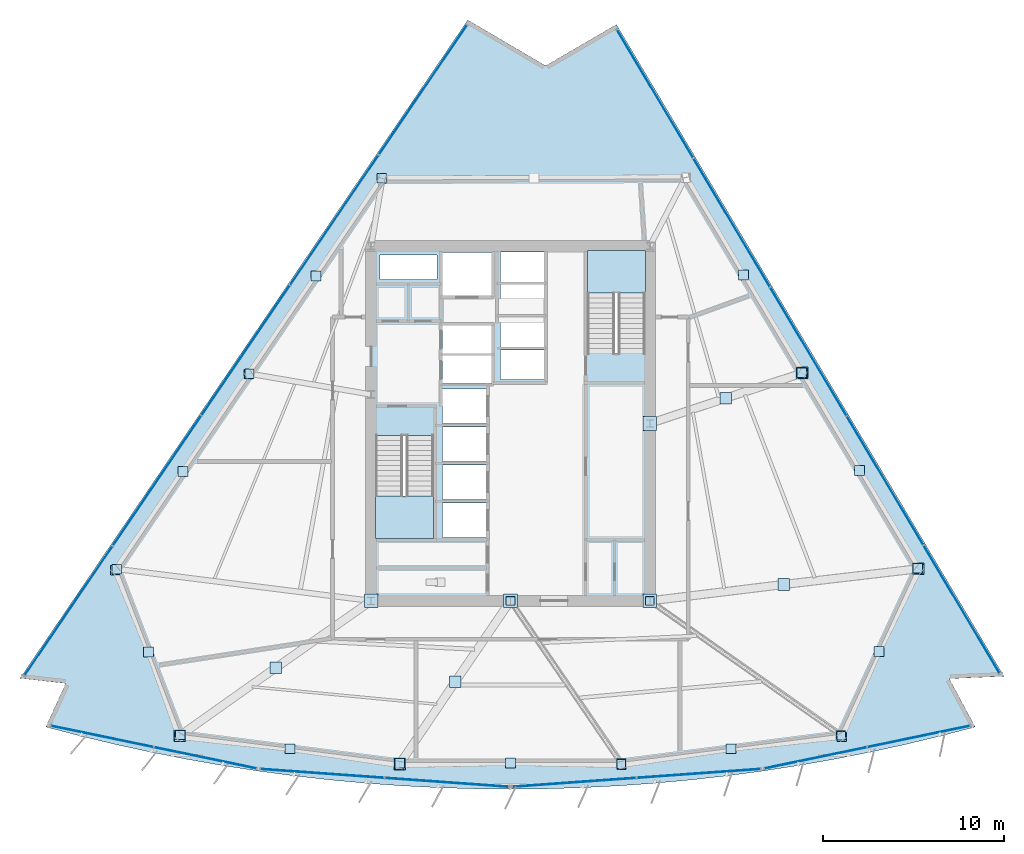
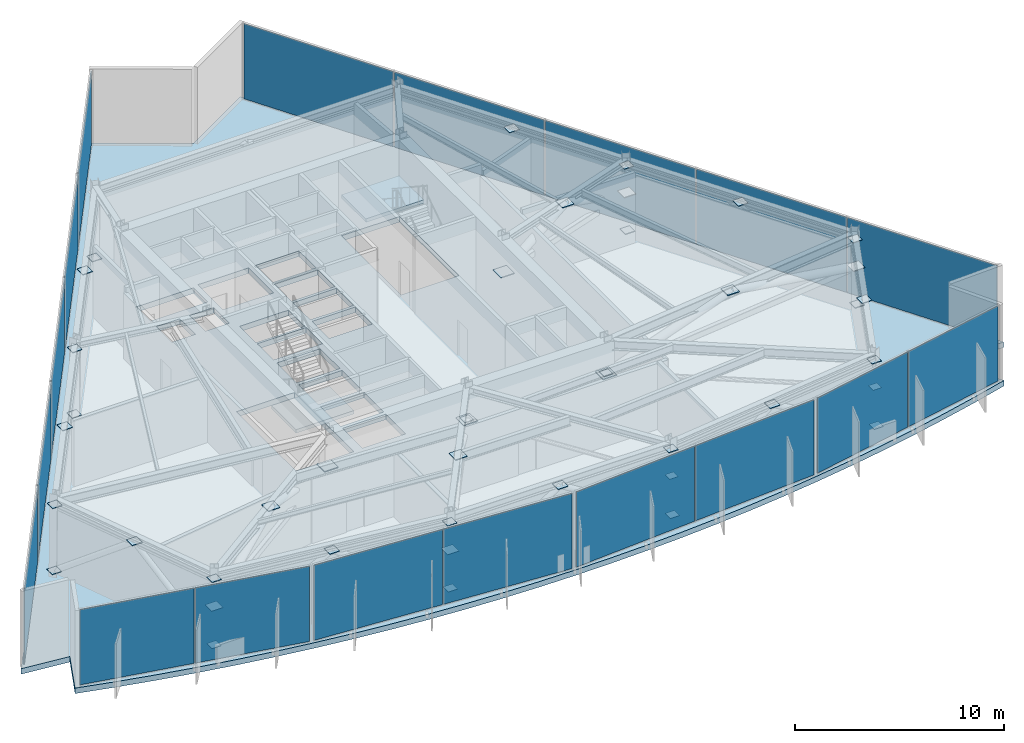
# One storey, part 7 of 14: 60 plates, 3 slabs, 8 elements without a shape of their own.
"""IFC4 building model written with IfcOpenShell, lengths in metres."""

from ifc_helpers import new_model, si_unit, direction, frame, origin, origin_2d, place, context, subcontext, project, spatial, polyline, rectangle, outline, extrude, material, layer, layer_set, type_object, element, aggregate, save


model = new_model("IFC4")

# Units and contexts
model_context = context("Model", 3, precision=1e-05, world=origin(), true_north=direction((0.0, 1.0)))
body_context = subcontext(model_context, "Body", "Model", "MODEL_VIEW")
ifc_project = project(units=[si_unit("LENGTHUNIT", "METRE"), si_unit("AREAUNIT", "SQUARE_METRE"), si_unit("VOLUMEUNIT", "CUBIC_METRE"), si_unit("PLANEANGLEUNIT", "RADIAN"), si_unit("MASSUNIT", "GRAM", prefix="KILO")], contexts=[model_context])

# Site, building, storey
site_placement = place(None, origin())
site = spatial("IfcSite", under=ifc_project, at=site_placement, CompositionType="ELEMENT")
building_placement = place(site_placement, origin())
building = spatial("IfcBuilding", under=site, at=building_placement, Name="Savorim Split Tower", CompositionType="ELEMENT")
storey_placement = place(building_placement, frame((0.0, 0.0, 129.300048828125)))
storey = spatial("IfcBuildingStorey", under=building, at=storey_placement, Name="L34", CompositionType="ELEMENT", Elevation=129.300048828125)

# Curtain wall, plates
ifc_material_1 = material(Name="Dark Ceramic-Fritted Insulated Glass", Category="glass")
curtain_wall_type = type_object("IfcCurtainWallType", Name="CW-REFUGE-LVR", PredefinedType="NOTDEFINED", material=ifc_material_1)
curtain_wall_1_placement = place(storey_placement, origin())
curtain_wall_1 = element("IfcCurtainWall", 1, at=curtain_wall_1_placement, inside=storey, type_object=curtain_wall_type, Name="L34 Curtain Wall CW-L34-SF1", PredefinedType="NOTDEFINED")
ifc_material_2 = material(Name="Charcoal Anodised Aluminium", Category="aluminium")
ifc_layer_1 = layer(ifc_material_2, 0.035888671875)
ifc_layer_set_1 = layer_set([ifc_layer_1], Name="CWP-LVR-36")
plate_type_1 = type_object("IfcPlateType", Name="CWP-LVR-36", PredefinedType="CURTAIN_PANEL", material=ifc_layer_set_1)
plate_1_placement = place(storey_placement, frame((-22.55322265625, -16.891357421875, 0.05517578125), z_axis=(0.0, 0.0, 1.0), x_axis=(0.979135184824, -0.203209964912, 0.0)))
plate_1 = element("IfcPlate", 2, at=plate_1_placement, type_object=plate_type_1, Name="CW-06 panel 1.1", PredefinedType="CURTAIN_PANEL", context=body_context, shape_type="SweptSolid", body=[
    extrude(rectangle(XDim=5.75390625, YDim=0.035888671875, at=origin_2d()), origin(), (0.0, 0.0, 1.0), 4.389892578125),
])
plate_2_placement = place(storey_placement, frame((-16.85595703125, -18.073974609375, 0.05517578125), z_axis=(0.0, 0.0, 1.0), x_axis=(0.979135184824, -0.203209964912, 0.0)))
plate_2 = element("IfcPlate", 3, at=plate_2_placement, type_object=plate_type_1, Name="CW-06 panel 2.1", PredefinedType="CURTAIN_PANEL", context=body_context, shape_type="SweptSolid", body=[
    extrude(rectangle(XDim=5.75390625, YDim=0.035888671875, at=origin_2d()), origin(), (0.0, 0.0, 1.0), 4.389892578125),
])
aggregate(curtain_wall_1, [plate_1, plate_2])

curtain_wall_2_placement = place(storey_placement, origin())
curtain_wall_2 = element("IfcCurtainWall", 4, at=curtain_wall_2_placement, inside=storey, type_object=curtain_wall_type, Name="L34 Curtain Wall CW-L34-SF2", PredefinedType="NOTDEFINED")
plate_3_placement = place(storey_placement, frame((-10.40087890625, -18.93505859375, 0.05517578125), z_axis=(0.0, 0.0, 1.0), x_axis=(0.997436231017, -0.071560918492, 0.0)))
plate_3 = element("IfcPlate", 5, at=plate_3_placement, type_object=plate_type_1, Name="CW-06 panel 1.1", PredefinedType="CURTAIN_PANEL", context=body_context, shape_type="SweptSolid", body=[
    extrude(rectangle(XDim=6.830810546875, YDim=0.035888671875, at=origin_2d()), origin(), (0.0, 0.0, 1.0), 4.389892578125),
])
plate_4_placement = place(storey_placement, frame((-3.522705078125, -19.428466796875, 0.05517578125), z_axis=(0.0, 0.0, 1.0), x_axis=(0.997436231017, -0.071560918492, 0.0)))
plate_4 = element("IfcPlate", 6, at=plate_4_placement, type_object=plate_type_1, Name="CW-06 panel 2.1", PredefinedType="CURTAIN_PANEL", context=body_context, shape_type="SweptSolid", body=[
    extrude(rectangle(XDim=6.830810546875, YDim=0.035888671875, at=origin_2d()), origin(), (0.0, 0.0, 1.0), 4.389892578125),
])
aggregate(curtain_wall_2, [plate_3, plate_4])

curtain_wall_3_placement = place(storey_placement, origin())
curtain_wall_3 = element("IfcCurtainWall", 7, at=curtain_wall_3_placement, inside=storey, type_object=curtain_wall_type, Name="L34 Curtain Wall CW-L34-SF3", PredefinedType="NOTDEFINED")
plate_5_placement = place(storey_placement, frame((3.522705078125, -19.428466796875, 0.05517578125), z_axis=(0.0, 0.0, 1.0), x_axis=(0.997436231017, 0.071560918492, 0.0)))
plate_5 = element("IfcPlate", 8, at=plate_5_placement, type_object=plate_type_1, Name="CW-06 panel 1.1", PredefinedType="CURTAIN_PANEL", context=body_context, shape_type="SweptSolid", body=[
    extrude(rectangle(XDim=6.830810546875, YDim=0.035888671875, at=origin_2d()), origin(), (0.0, 0.0, 1.0), 4.389892578125),
])
plate_6_placement = place(storey_placement, frame((10.40087890625, -18.93505859375, 0.05517578125), z_axis=(0.0, 0.0, 1.0), x_axis=(0.997436231017, 0.071560918492, 0.0)))
plate_6 = element("IfcPlate", 9, at=plate_6_placement, type_object=plate_type_1, Name="CW-06 panel 2.1", PredefinedType="CURTAIN_PANEL", context=body_context, shape_type="SweptSolid", body=[
    extrude(rectangle(XDim=6.830810546875, YDim=0.035888671875, at=origin_2d()), origin(), (0.0, 0.0, 1.0), 4.389892578125),
])
aggregate(curtain_wall_3, [plate_5, plate_6])

curtain_wall_4_placement = place(storey_placement, origin())
curtain_wall_4 = element("IfcCurtainWall", 10, at=curtain_wall_4_placement, inside=storey, type_object=curtain_wall_type, Name="L34 Curtain Wall CW-L34-SF4", PredefinedType="NOTDEFINED")
plate_7_placement = place(storey_placement, frame((16.85595703125, -18.073974609375, 0.05517578125), z_axis=(0.0, 0.0, 1.0), x_axis=(0.979135184824, 0.203209964912, 0.0)))
plate_7 = element("IfcPlate", 11, at=plate_7_placement, type_object=plate_type_1, Name="CW-06 panel 1.1", PredefinedType="CURTAIN_PANEL", context=body_context, shape_type="SweptSolid", body=[
    extrude(rectangle(XDim=5.75390625, YDim=0.035888671875, at=origin_2d()), origin(), (0.0, 0.0, 1.0), 4.389892578125),
])
plate_8_placement = place(storey_placement, frame((22.55322265625, -16.891357421875, 0.05517578125), z_axis=(0.0, 0.0, 1.0), x_axis=(0.979135184824, 0.203209964912, 0.0)))
plate_8 = element("IfcPlate", 12, at=plate_8_placement, type_object=plate_type_1, Name="CW-06 panel 2.1", PredefinedType="CURTAIN_PANEL", context=body_context, shape_type="SweptSolid", body=[
    extrude(rectangle(XDim=5.75390625, YDim=0.035888671875, at=origin_2d()), origin(), (0.0, 0.0, 1.0), 4.389892578125),
])
aggregate(curtain_wall_4, [plate_7, plate_8])

curtain_wall_5_placement = place(storey_placement, origin())
curtain_wall_5 = element("IfcCurtainWall", 13, at=curtain_wall_5_placement, inside=storey, type_object=curtain_wall_type, Name="L34 Curtain Wall CW-L34-EAST", PredefinedType="NOTDEFINED")
plate_9_placement = place(storey_placement, frame((24.922119140625, -9.8642578125, 0.05517578125), z_axis=(0.0, 0.0, 1.0), x_axis=(-0.51109080613, 0.859526723197, 0.0)))
plate_9 = element("IfcPlate", 14, at=plate_9_placement, type_object=plate_type_1, Name="CW-06 panel 1.1", PredefinedType="CURTAIN_PANEL", context=body_context, shape_type="SweptSolid", body=[
    extrude(rectangle(XDim=8.193603515625, YDim=0.035888671875, at=origin_2d()), origin(), (0.0, 0.0, 1.0), 4.389892578125),
])
plate_10_placement = place(storey_placement, frame((20.69287109375, -2.751708984375, 0.05517578125), z_axis=(0.0, 0.0, 1.0), x_axis=(-0.51109080613, 0.859526723197, 0.0)))
plate_10 = element("IfcPlate", 15, at=plate_10_placement, type_object=plate_type_1, Name="CW-06 panel 2.1", PredefinedType="CURTAIN_PANEL", context=body_context, shape_type="SweptSolid", body=[
    extrude(rectangle(XDim=8.22607421875, YDim=0.035888671875, at=origin_2d()), origin(), (0.0, 0.0, 1.0), 4.389892578125),
])
plate_11_placement = place(storey_placement, frame((16.455322265625, 4.37451171875, 0.05517578125), z_axis=(0.0, 0.0, 1.0), x_axis=(-0.51109080613, 0.859526723197, 0.0)))
plate_11 = element("IfcPlate", 16, at=plate_11_placement, type_object=plate_type_1, Name="CW-06 panel 3.1", PredefinedType="CURTAIN_PANEL", context=body_context, shape_type="SweptSolid", body=[
    extrude(rectangle(XDim=8.22607421875, YDim=0.035888671875, at=origin_2d()), origin(), (0.0, 0.0, 1.0), 4.389892578125),
])
plate_12_placement = place(storey_placement, frame((12.218017578125, 11.5009765625, 0.05517578125), z_axis=(0.0, 0.0, 1.0), x_axis=(-0.51109080613, 0.859526723197, 0.0)))
plate_12 = element("IfcPlate", 17, at=plate_12_placement, type_object=plate_type_1, Name="CW-06 panel 4.1", PredefinedType="CURTAIN_PANEL", context=body_context, shape_type="SweptSolid", body=[
    extrude(rectangle(XDim=8.22607421875, YDim=0.035888671875, at=origin_2d()), origin(), (0.0, 0.0, 1.0), 4.389892578125),
])
plate_13_placement = place(storey_placement, frame((7.98876953125, 18.61328125, 0.05517578125), z_axis=(0.0, 0.0, 1.0), x_axis=(-0.51109080613, 0.859526723197, 0.0)))
plate_13 = element("IfcPlate", 18, at=plate_13_placement, type_object=plate_type_1, Name="CW-06 panel 5.1", PredefinedType="CURTAIN_PANEL", context=body_context, shape_type="SweptSolid", body=[
    extrude(rectangle(XDim=8.193603515625, YDim=0.035888671875, at=origin_2d()), origin(), (0.0, 0.0, 1.0), 4.389892578125),
])
aggregate(curtain_wall_5, [plate_9, plate_10, plate_11, plate_12, plate_13])

curtain_wall_6_placement = place(storey_placement, origin())
curtain_wall_6 = element("IfcCurtainWall", 19, at=curtain_wall_6_placement, inside=storey, type_object=curtain_wall_type, Name="L34 Curtain Wall CW-L34-WEST", PredefinedType="NOTDEFINED")
plate_14_placement = place(storey_placement, frame((-4.8408203125, 18.827880859375, 0.05517578125), z_axis=(0.0, 0.0, 1.0), x_axis=(-0.562466987768, -0.826819743155, 0.0)))
plate_14 = element("IfcPlate", 20, at=plate_14_placement, type_object=plate_type_1, Name="CW-06 panel 1.1", PredefinedType="CURTAIN_PANEL", context=body_context, shape_type="SweptSolid", body=[
    extrude(rectangle(XDim=8.611328125, YDim=0.035888671875, at=origin_2d()), origin(), (0.0, 0.0, 1.0), 4.389892578125),
])
plate_15_placement = place(storey_placement, frame((-9.730224609375, 11.640869140625, 0.05517578125), z_axis=(0.0, 0.0, 1.0), x_axis=(-0.562466987768, -0.826819743155, 0.0)))
plate_15 = element("IfcPlate", 21, at=plate_15_placement, type_object=plate_type_1, Name="CW-06 panel 2.1", PredefinedType="CURTAIN_PANEL", context=body_context, shape_type="SweptSolid", body=[
    extrude(rectangle(XDim=8.643798828125, YDim=0.035888671875, at=origin_2d()), origin(), (0.0, 0.0, 1.0), 4.389892578125),
])
plate_16_placement = place(storey_placement, frame((-14.628662109375, 4.440185546875, 0.05517578125), z_axis=(0.0, 0.0, 1.0), x_axis=(-0.562466987768, -0.826819743155, 0.0)))
plate_16 = element("IfcPlate", 22, at=plate_16_placement, type_object=plate_type_1, Name="CW-06 panel 3.1", PredefinedType="CURTAIN_PANEL", context=body_context, shape_type="SweptSolid", body=[
    extrude(rectangle(XDim=8.643798828125, YDim=0.035888671875, at=origin_2d()), origin(), (0.0, 0.0, 1.0), 4.389892578125),
])
plate_17_placement = place(storey_placement, frame((-19.52685546875, -2.76025390625, 0.05517578125), z_axis=(0.0, 0.0, 1.0), x_axis=(-0.562466987768, -0.826819743155, 0.0)))
plate_17 = element("IfcPlate", 23, at=plate_17_placement, type_object=plate_type_1, Name="CW-06 panel 4.1", PredefinedType="CURTAIN_PANEL", context=body_context, shape_type="SweptSolid", body=[
    extrude(rectangle(XDim=8.643798828125, YDim=0.035888671875, at=origin_2d()), origin(), (0.0, 0.0, 1.0), 4.389892578125),
])
plate_18_placement = place(storey_placement, frame((-24.416259765625, -9.947509765625, 0.05517578125), z_axis=(0.0, 0.0, 1.0), x_axis=(-0.562466987768, -0.826819743155, 0.0)))
plate_18 = element("IfcPlate", 24, at=plate_18_placement, type_object=plate_type_1, Name="CW-06 panel 5.1", PredefinedType="CURTAIN_PANEL", context=body_context, shape_type="SweptSolid", body=[
    extrude(rectangle(XDim=8.611328125, YDim=0.035888671875, at=origin_2d()), origin(), (0.0, 0.0, 1.0), 4.389892578125),
])
aggregate(curtain_wall_6, [plate_14, plate_15, plate_16, plate_17, plate_18])

# Plates
ifc_material_3 = material(Name="Steel S460", Category="steel")
ifc_layer_2 = layer(ifc_material_3, 0.028076171875)
ifc_layer_set_2 = layer_set([ifc_layer_2], Name="PLT-NODE-BN1")
plate_type_2 = type_object("IfcPlateType", Name="PLT-NODE-BN1", PredefinedType="SHEET", material=ifc_layer_set_2)
plate_19_placement = place(storey_placement, frame((-12.17041015625, -17.5703125, 4.06591796875), z_axis=(0.0, 0.0, 1.0), x_axis=(1.0, 0.0, 0.0)))
element("IfcPlate", 25, at=plate_19_placement, inside=storey, type_object=plate_type_2, Name="L34 Belt Truss Apex Gusset Plate BN1-01", PredefinedType="SHEET", context=body_context, shape_type="SweptSolid", body=[
    extrude(rectangle(XDim=0.550048828125, YDim=0.550048828125, at=origin_2d()), origin(), (0.0, 0.0, 1.0), 0.028076171875),
])
for number, where, z_axis, x_axis, name in (
    (26, (-18.300537109375, -16.905517578125, 0.26611328125), (0.0, 0.0, 1.0), (1.0, 0.0, 0.0), "L34 Belt Truss Base Gusset Plate BNB-01"),
    (27, (-18.241943359375, -16.810302734375, 4.06591796875), (0.0, 0.0, 1.0), (1.0, 0.0, 0.0), "L34 Belt Truss Chord Gusset Plate BCH-01"),
):
    element("IfcPlate", number, at=place(storey_placement, frame(where, z_axis=z_axis, x_axis=x_axis)), inside=storey, type_object=plate_type_2, Name=name, PredefinedType="SHEET", context=body_context, shape_type="SweptSolid", body=[
        extrude(rectangle(XDim=0.52001953125, YDim=0.52001953125, at=origin_2d()), origin(), (0.0, 0.0, 1.0), 0.028076171875),
    ])
plate_20_placement = place(storey_placement, frame((0.0, -18.348388671875, 4.06591796875), z_axis=(0.0, 0.0, 1.0), x_axis=(1.0, 0.0, 0.0)))
element("IfcPlate", 28, at=plate_20_placement, inside=storey, type_object=plate_type_2, Name="L34 Belt Truss Apex Gusset Plate BN1-02", PredefinedType="SHEET", context=body_context, shape_type="SweptSolid", body=[
    extrude(rectangle(XDim=0.550048828125, YDim=0.550048828125, at=origin_2d()), origin(), (0.0, 0.0, 1.0), 0.028076171875),
])
for number, where, z_axis, x_axis, name in (
    (29, (-6.133544921875, -18.4677734375, 0.26611328125), (0.0, 0.0, 1.0), (1.0, 0.0, 0.0), "L34 Belt Truss Base Gusset Plate BNB-02"),
    (30, (-6.11376953125, -18.367431640625, 4.06591796875), (0.0, 0.0, 1.0), (1.0, 0.0, 0.0), "L34 Belt Truss Chord Gusset Plate BCH-02"),
):
    element("IfcPlate", number, at=place(storey_placement, frame(where, z_axis=z_axis, x_axis=x_axis)), inside=storey, type_object=plate_type_2, Name=name, PredefinedType="SHEET", context=body_context, shape_type="SweptSolid", body=[
        extrude(rectangle(XDim=0.52001953125, YDim=0.52001953125, at=origin_2d()), origin(), (0.0, 0.0, 1.0), 0.028076171875),
    ])
plate_21_placement = place(storey_placement, frame((12.17041015625, -17.5703125, 4.06591796875), z_axis=(0.0, 0.0, 1.0), x_axis=(1.0, 0.0, 0.0)))
element("IfcPlate", 31, at=plate_21_placement, inside=storey, type_object=plate_type_2, Name="L34 Belt Truss Apex Gusset Plate BN1-03", PredefinedType="SHEET", context=body_context, shape_type="SweptSolid", body=[
    extrude(rectangle(XDim=0.550048828125, YDim=0.550048828125, at=origin_2d()), origin(), (0.0, 0.0, 1.0), 0.028076171875),
])
for number, where, z_axis, x_axis, name in (
    (32, (6.133544921875, -18.4677734375, 0.26611328125), (0.0, 0.0, 1.0), (1.0, 0.0, 0.0), "L34 Belt Truss Base Gusset Plate BNB-03"),
    (33, (6.11376953125, -18.367431640625, 4.06591796875), (0.0, 0.0, 1.0), (1.0, 0.0, 0.0), "L34 Belt Truss Chord Gusset Plate BCH-03"),
):
    element("IfcPlate", number, at=place(storey_placement, frame(where, z_axis=z_axis, x_axis=x_axis)), inside=storey, type_object=plate_type_2, Name=name, PredefinedType="SHEET", context=body_context, shape_type="SweptSolid", body=[
        extrude(rectangle(XDim=0.52001953125, YDim=0.52001953125, at=origin_2d()), origin(), (0.0, 0.0, 1.0), 0.028076171875),
    ])
plate_22_placement = place(storey_placement, frame((20.359619140625, -12.190185546875, 4.06591796875), z_axis=(0.0, 0.0, 1.0), x_axis=(1.0, 0.0, 0.0)))
element("IfcPlate", 34, at=plate_22_placement, inside=storey, type_object=plate_type_2, Name="L34 Belt Truss Apex Gusset Plate BN1-04", PredefinedType="SHEET", context=body_context, shape_type="SweptSolid", body=[
    extrude(rectangle(XDim=0.550048828125, YDim=0.550048828125, at=origin_2d()), origin(), (0.0, 0.0, 1.0), 0.028076171875),
])
for number, where, z_axis, x_axis, name in (
    (35, (18.300537109375, -16.905517578125, 0.26611328125), (0.0, 0.0, 1.0), (1.0, 0.0, 0.0), "L34 Belt Truss Base Gusset Plate BNB-04"),
    (36, (18.241943359375, -16.810302734375, 4.06591796875), (0.0, 0.0, 1.0), (1.0, 0.0, 0.0), "L34 Belt Truss Chord Gusset Plate BCH-04"),
):
    element("IfcPlate", number, at=place(storey_placement, frame(where, z_axis=z_axis, x_axis=x_axis)), inside=storey, type_object=plate_type_2, Name=name, PredefinedType="SHEET", context=body_context, shape_type="SweptSolid", body=[
        extrude(rectangle(XDim=0.52001953125, YDim=0.52001953125, at=origin_2d()), origin(), (0.0, 0.0, 1.0), 0.028076171875),
    ])
plate_23_placement = place(storey_placement, frame((19.28125, -2.19482421875, 4.06591796875), z_axis=(0.0, 0.0, 1.0), x_axis=(1.0, 0.0, 0.0)))
element("IfcPlate", 37, at=plate_23_placement, inside=storey, type_object=plate_type_2, Name="L34 Belt Truss Apex Gusset Plate BN1-05", PredefinedType="SHEET", context=body_context, shape_type="SweptSolid", body=[
    extrude(rectangle(XDim=0.550048828125, YDim=0.550048828125, at=origin_2d()), origin(), (0.0, 0.0, 1.0), 0.028076171875),
])
for number, where, z_axis, x_axis, name in (
    (38, (22.576416015625, -7.661376953125, 0.26611328125), (0.0, 0.0, 1.0), (1.0, 0.0, 0.0), "L34 Belt Truss Base Gusset Plate BNB-05"),
    (39, (22.502197265625, -7.599853515625, 4.06591796875), (0.0, 0.0, 1.0), (1.0, 0.0, 0.0), "L34 Belt Truss Chord Gusset Plate BCH-05"),
):
    element("IfcPlate", number, at=place(storey_placement, frame(where, z_axis=z_axis, x_axis=x_axis)), inside=storey, type_object=plate_type_2, Name=name, PredefinedType="SHEET", context=body_context, shape_type="SweptSolid", body=[
        extrude(rectangle(XDim=0.52001953125, YDim=0.52001953125, at=origin_2d()), origin(), (0.0, 0.0, 1.0), 0.028076171875),
    ])
plate_24_placement = place(storey_placement, frame((12.8671875, 8.591552734375, 4.06591796875), z_axis=(0.0, 0.0, 1.0), x_axis=(1.0, 0.0, 0.0)))
element("IfcPlate", 40, at=plate_24_placement, inside=storey, type_object=plate_type_2, Name="L34 Belt Truss Apex Gusset Plate BN1-06", PredefinedType="SHEET", context=body_context, shape_type="SweptSolid", body=[
    extrude(rectangle(XDim=0.550048828125, YDim=0.550048828125, at=origin_2d()), origin(), (0.0, 0.0, 1.0), 0.028076171875),
])
for number, where, z_axis, x_axis, name in (
    (41, (16.13818359375, 3.166015625, 0.26611328125), (0.0, 0.0, 1.0), (1.0, 0.0, 0.0), "L34 Belt Truss Base Gusset Plate BNB-06"),
    (42, (16.08447265625, 3.193359375, 4.06591796875), (0.0, 0.0, 1.0), (1.0, 0.0, 0.0), "L34 Belt Truss Chord Gusset Plate BCH-06"),
):
    element("IfcPlate", number, at=place(storey_placement, frame(where, z_axis=z_axis, x_axis=x_axis)), inside=storey, type_object=plate_type_2, Name=name, PredefinedType="SHEET", context=body_context, shape_type="SweptSolid", body=[
        extrude(rectangle(XDim=0.52001953125, YDim=0.52001953125, at=origin_2d()), origin(), (0.0, 0.0, 1.0), 0.028076171875),
    ])
plate_25_placement = place(storey_placement, frame((-10.742431640625, 8.542724609375, 4.06591796875), z_axis=(0.0, 0.0, 1.0), x_axis=(1.0, 0.0, 0.0)))
element("IfcPlate", 43, at=plate_25_placement, inside=storey, type_object=plate_type_2, Name="L34 Belt Truss Apex Gusset Plate BN1-08", PredefinedType="SHEET", context=body_context, shape_type="SweptSolid", body=[
    extrude(rectangle(XDim=0.550048828125, YDim=0.550048828125, at=origin_2d()), origin(), (0.0, 0.0, 1.0), 0.028076171875),
])
plate_26_placement = place(storey_placement, frame((-7.103271484375, 13.94482421875, 0.26611328125), z_axis=(0.0, 0.0, 1.0), x_axis=(1.0, 0.0, 0.0)))
element("IfcPlate", 44, at=plate_26_placement, inside=storey, type_object=plate_type_2, Name="L34 Belt Truss Base Gusset Plate BNB-08", PredefinedType="SHEET", context=body_context, shape_type="SweptSolid", body=[
    extrude(rectangle(XDim=0.52001953125, YDim=0.52001953125, at=origin_2d()), origin(), (0.0, 0.0, 1.0), 0.028076171875),
])
plate_27_placement = place(storey_placement, frame((-18.080078125, -2.24365234375, 4.06591796875), z_axis=(0.0, 0.0, 1.0), x_axis=(1.0, 0.0, 0.0)))
element("IfcPlate", 45, at=plate_27_placement, inside=storey, type_object=plate_type_2, Name="L34 Belt Truss Apex Gusset Plate BN1-09", PredefinedType="SHEET", context=body_context, shape_type="SweptSolid", body=[
    extrude(rectangle(XDim=0.550048828125, YDim=0.550048828125, at=origin_2d()), origin(), (0.0, 0.0, 1.0), 0.028076171875),
])
for number, where, z_axis, x_axis, name in (
    (46, (-14.468994140625, 3.1171875, 0.26611328125), (0.0, 0.0, 1.0), (1.0, 0.0, 0.0), "L34 Belt Truss Base Gusset Plate BNB-09"),
    (47, (-14.42041015625, 3.14453125, 4.06591796875), (0.0, 0.0, 1.0), (1.0, 0.0, 0.0), "L34 Belt Truss Chord Gusset Plate BCH-09"),
):
    element("IfcPlate", number, at=place(storey_placement, frame(where, z_axis=z_axis, x_axis=x_axis)), inside=storey, type_object=plate_type_2, Name=name, PredefinedType="SHEET", context=body_context, shape_type="SweptSolid", body=[
        extrude(rectangle(XDim=0.52001953125, YDim=0.52001953125, at=origin_2d()), origin(), (0.0, 0.0, 1.0), 0.028076171875),
    ])
plate_28_placement = place(storey_placement, frame((-19.989990234375, -12.214599609375, 4.06591796875), z_axis=(0.0, 0.0, 1.0), x_axis=(1.0, 0.0, 0.0)))
element("IfcPlate", 48, at=plate_28_placement, inside=storey, type_object=plate_type_2, Name="L34 Belt Truss Apex Gusset Plate BN1-10", PredefinedType="SHEET", context=body_context, shape_type="SweptSolid", body=[
    extrude(rectangle(XDim=0.550048828125, YDim=0.550048828125, at=origin_2d()), origin(), (0.0, 0.0, 1.0), 0.028076171875),
])
for number, where, z_axis, x_axis, name in (
    (49, (-21.83447265625, -7.710205078125, 0.26611328125), (0.0, 0.0, 1.0), (1.0, 0.0, 0.0), "L34 Belt Truss Base Gusset Plate BNB-10"),
    (50, (-21.7626953125, -7.648681640625, 4.06591796875), (0.0, 0.0, 1.0), (1.0, 0.0, 0.0), "L34 Belt Truss Chord Gusset Plate BCH-10"),
):
    element("IfcPlate", number, at=place(storey_placement, frame(where, z_axis=z_axis, x_axis=x_axis)), inside=storey, type_object=plate_type_2, Name=name, PredefinedType="SHEET", context=body_context, shape_type="SweptSolid", body=[
        extrude(rectangle(XDim=0.52001953125, YDim=0.52001953125, at=origin_2d()), origin(), (0.0, 0.0, 1.0), 0.028076171875),
    ])
ifc_layer_3 = layer(ifc_material_3, 0.02490234375)
ifc_layer_set_3 = layer_set([ifc_layer_3], Name="PLT-NODE-CN1")
plate_type_3 = type_object("IfcPlateType", Name="PLT-NODE-CN1", PredefinedType="SHEET", material=ifc_layer_set_3)
for number, where, z_axis, x_axis, name in (
    (51, (0.0, -9.39990234375, 2.507568359375), (0.0, 0.0, 1.0), (1.0, 0.0, 0.0), "L34 Tie Strut Core Gusset Plate 1"),
    (52, (6.121826171875, -18.40869140625, 2.507568359375), (0.0, 0.0, 1.0), (1.0, 0.0, 0.0), "L34 Tie Strut Column Gusset Plate 1"),
    (53, (7.699951171875, -9.39990234375, 2.507568359375), (0.0, 0.0, 1.0), (1.0, 0.0, 0.0), "L34 Tie Strut Core Gusset Plate 2"),
    (54, (18.26611328125, -16.849365234375, 2.507568359375), (0.0, 0.0, 1.0), (1.0, 0.0, 0.0), "L34 Tie Strut Column Gusset Plate 2"),
):
    element("IfcPlate", number, at=place(storey_placement, frame(where, z_axis=z_axis, x_axis=x_axis)), inside=storey, type_object=plate_type_3, Name=name, PredefinedType="SHEET", context=body_context, shape_type="SweptSolid", body=[
        extrude(rectangle(XDim=0.47998046875, YDim=0.47998046875, at=origin_2d()), origin(), (0.0, 0.0, 1.0), 0.02490234375),
    ])
ifc_layer_4 = layer(ifc_material_3, 0.035888671875)
ifc_layer_set_4 = layer_set([ifc_layer_4], Name="PLT-NODE-ON1")
plate_type_4 = type_object("IfcPlateType", Name="PLT-NODE-ON1", PredefinedType="SHEET", material=ifc_layer_set_4)
plate_29_placement = place(storey_placement, frame((-7.699951171875, -9.39990234375, 2.4619140625), z_axis=(0.0, 0.0, 1.0), x_axis=(1.0, 0.0, 0.0)))
element("IfcPlate", 55, at=plate_29_placement, inside=storey, type_object=plate_type_4, Name="L34 Outrigger Core Embedment Plate ON1-1", PredefinedType="SHEET", context=body_context, shape_type="SweptSolid", body=[
    extrude(rectangle(XDim=0.75, YDim=0.75, at=origin_2d()), origin(), (0.0, 0.0, 1.0), 0.035888671875),
])
plate_30_placement = place(storey_placement, frame((-12.96533203125, -13.09619140625, 4.18408203125), z_axis=(0.0, 0.0, 1.0), x_axis=(1.0, 0.0, 0.0)))
element("IfcPlate", 56, at=plate_30_placement, inside=storey, type_object=plate_type_4, Name="L34 Outrigger Apex Gusset Plate ONT-1", PredefinedType="SHEET", context=body_context, shape_type="SweptSolid", body=[
    extrude(rectangle(XDim=0.64990234375, YDim=0.64990234375, at=origin_2d()), origin(), (0.0, 0.0, 1.0), 0.031982421875),
])
plate_31_placement = place(storey_placement, frame((0.0, -9.39990234375, 2.4619140625), z_axis=(0.0, 0.0, 1.0), x_axis=(1.0, 0.0, 0.0)))
element("IfcPlate", 57, at=plate_31_placement, inside=storey, type_object=plate_type_4, Name="L34 Outrigger Core Embedment Plate ON1-2", PredefinedType="SHEET", context=body_context, shape_type="SweptSolid", body=[
    extrude(rectangle(XDim=0.75, YDim=0.75, at=origin_2d()), origin(), (0.0, 0.0, 1.0), 0.035888671875),
])
plate_32_placement = place(storey_placement, frame((-3.05517578125, -13.874267578125, 4.18408203125), z_axis=(0.0, 0.0, 1.0), x_axis=(1.0, 0.0, 0.0)))
element("IfcPlate", 58, at=plate_32_placement, inside=storey, type_object=plate_type_4, Name="L34 Outrigger Apex Gusset Plate ONT-2", PredefinedType="SHEET", context=body_context, shape_type="SweptSolid", body=[
    extrude(rectangle(XDim=0.64990234375, YDim=0.64990234375, at=origin_2d()), origin(), (0.0, 0.0, 1.0), 0.031982421875),
])
plate_33_placement = place(storey_placement, frame((7.699951171875, -9.39990234375, 2.4619140625), z_axis=(0.0, 0.0, 1.0), x_axis=(1.0, 0.0, 0.0)))
element("IfcPlate", 59, at=plate_33_placement, inside=storey, type_object=plate_type_4, Name="L34 Outrigger Core Embedment Plate ON1-3", PredefinedType="SHEET", context=body_context, shape_type="SweptSolid", body=[
    extrude(rectangle(XDim=0.75, YDim=0.75, at=origin_2d()), origin(), (0.0, 0.0, 1.0), 0.035888671875),
])
plate_34_placement = place(storey_placement, frame((15.093994140625, -8.494140625, 4.18408203125), z_axis=(0.0, 0.0, 1.0), x_axis=(1.0, 0.0, 0.0)))
element("IfcPlate", 60, at=plate_34_placement, inside=storey, type_object=plate_type_4, Name="L34 Outrigger Apex Gusset Plate ONT-3", PredefinedType="SHEET", context=body_context, shape_type="SweptSolid", body=[
    extrude(rectangle(XDim=0.64990234375, YDim=0.64990234375, at=origin_2d()), origin(), (0.0, 0.0, 1.0), 0.031982421875),
])
plate_35_placement = place(storey_placement, frame((7.699951171875, 0.39990234375, 2.4619140625), z_axis=(0.0, 0.0, 1.0), x_axis=(1.0, 0.0, 0.0)))
element("IfcPlate", 61, at=plate_35_placement, inside=storey, type_object=plate_type_4, Name="L34 Outrigger Core Embedment Plate ON1-4", PredefinedType="SHEET", context=body_context, shape_type="SweptSolid", body=[
    extrude(rectangle(XDim=0.75, YDim=0.75, at=origin_2d()), origin(), (0.0, 0.0, 1.0), 0.035888671875),
])
plate_36_placement = place(storey_placement, frame((11.88720703125, 1.79931640625, 4.18408203125), z_axis=(0.0, 0.0, 1.0), x_axis=(1.0, 0.0, 0.0)))
element("IfcPlate", 62, at=plate_36_placement, inside=storey, type_object=plate_type_4, Name="L34 Outrigger Apex Gusset Plate ONT-4", PredefinedType="SHEET", context=body_context, shape_type="SweptSolid", body=[
    extrude(rectangle(XDim=0.64990234375, YDim=0.64990234375, at=origin_2d()), origin(), (0.0, 0.0, 1.0), 0.031982421875),
])
ifc_layer_5 = layer(ifc_material_3, 0.031982421875)
ifc_layer_set_5 = layer_set([ifc_layer_5], Name="PLT-NODE-ON2")
plate_type_5 = type_object("IfcPlateType", Name="PLT-NODE-ON2", PredefinedType="SHEET", material=ifc_layer_set_5)
for number, where, z_axis, x_axis, name in (
    (63, (-18.2666015625, -16.850341796875, 2.4638671875), (0.0, 0.0, 1.0), (1.0, 0.0, 0.0), "L34 Outrigger Column Gusset Plate ON2-1"),
    (64, (-6.1220703125, -18.40966796875, 2.4638671875), (0.0, 0.0, 1.0), (1.0, 0.0, 0.0), "L34 Outrigger Column Gusset Plate ON2-2"),
    (65, (22.533447265625, -7.625732421875, 2.4638671875), (0.0, 0.0, 1.0), (1.0, 0.0, 0.0), "L34 Outrigger Column Gusset Plate ON2-3"),
    (66, (16.10693359375, 3.181884765625, 2.4638671875), (0.0, 0.0, 1.0), (1.0, 0.0, 0.0), "L34 Outrigger Column Gusset Plate ON2-4"),
):
    element("IfcPlate", number, at=place(storey_placement, frame(where, z_axis=z_axis, x_axis=x_axis)), inside=storey, type_object=plate_type_5, Name=name, PredefinedType="SHEET", context=body_context, shape_type="SweptSolid", body=[
        extrude(rectangle(XDim=0.64990234375, YDim=0.64990234375, at=origin_2d()), origin(), (0.0, 0.0, 1.0), 0.031982421875),
    ])

# Stair, slab
ifc_material_4 = material(Name="Concrete C50/60", Category="concrete")
stair_type = type_object("IfcStairType", Name="STR-DOG-4800", PredefinedType="HALF_TURN_STAIR", material=ifc_material_4)
stair_1_placement = place(storey_placement, origin())
stair_1 = element("IfcStair", 67, at=stair_1_placement, inside=storey, type_object=stair_type, Name="L34 Core Protected Exit Stair ST-1", PredefinedType="HALF_TURN_STAIR")
ifc_layer_6 = layer(ifc_material_4, 0.199951171875)
ifc_layer_set_6 = layer_set([ifc_layer_6], Name="SLB-LND-200")
slab_type_1 = type_object("IfcSlabType", Name="SLB-LND-200", PredefinedType="LANDING", material=ifc_layer_set_6)
slab_1_placement = place(storey_placement, frame((0.0, 0.0, 2.199951171875)))
slab_1 = element("IfcSlab", 68, at=slab_1_placement, type_object=slab_type_1, Name="ST-1 landing 1", PredefinedType="LANDING", context=body_context, shape_type="SweptSolid", body=[
    extrude(outline(polyline([(-7.449951171875, -3.610107421875), (-7.449951171875, -5.949951171875), (-4.25, -5.949951171875), (-4.25, -3.610107421875), (-7.449951171875, -3.610107421875)])), origin(), (0.0, 0.0, 1.0), 0.199951171875),
])
aggregate(stair_1, [slab_1])

stair_2_placement = place(storey_placement, origin())
stair_2 = element("IfcStair", 69, at=stair_2_placement, inside=storey, type_object=stair_type, Name="L34 Core Protected Exit Stair ST-2", PredefinedType="HALF_TURN_STAIR")
slab_2_placement = place(storey_placement, frame((0.0, 0.0, 2.199951171875)))
slab_2 = element("IfcSlab", 70, at=slab_2_placement, type_object=slab_type_1, Name="ST-2 landing 1", PredefinedType="LANDING", context=body_context, shape_type="SweptSolid", body=[
    extrude(outline(polyline([(7.449951171875, 7.610107421875), (7.449951171875, 9.949951171875), (4.25, 9.949951171875), (4.25, 7.610107421875), (7.449951171875, 7.610107421875)])), origin(), (0.0, 0.0, 1.0), 0.199951171875),
])
aggregate(stair_2, [slab_2])

# Slab
ifc_layer_7 = layer(ifc_material_4, 0.320068359375)
ifc_layer_set_7 = layer_set([ifc_layer_7], Name="SLB-POD-320")
slab_type_2 = type_object("IfcSlabType", Name="SLB-POD-320", PredefinedType="FLOOR", material=ifc_layer_set_7)
slab_3_placement = place(storey_placement, frame((0.0, 0.0, -0.320068359375)))
element("IfcSlab", 71, at=slab_3_placement, inside=storey, type_object=slab_type_2, Name="L34 Structural Floor Slab", PredefinedType="FLOOR", context=body_context, shape_type="SweptSolid", body=[
    extrude(outline(polyline([(-25.673583984375, -16.366455078125), (-23.740234375, -16.8720703125), (-21.797119140625, -17.337890625), (-19.844482421875, -17.763916015625), (-17.8837890625, -18.150146484375), (-15.915771484375, -18.495849609375), (-13.94091796875, -18.801513671875), (-11.960205078125, -19.06640625), (-9.974609375, -19.291015625), (-7.984619140625, -19.474609375), (-5.991455078125, -19.61767578125), (-3.99560546875, -19.7197265625), (-1.998291015625, -19.78125), (0.0, -19.801513671875), (1.998291015625, -19.78125), (3.99560546875, -19.7197265625), (5.991455078125, -19.61767578125), (7.984619140625, -19.474609375), (9.974609375, -19.291015625), (11.960205078125, -19.06640625), (13.94091796875, -18.801513671875), (15.915771484375, -18.495849609375), (17.8837890625, -18.150146484375), (19.844482421875, -17.763916015625), (21.797119140625, -17.337890625), (23.740234375, -16.8720703125), (25.673583984375, -16.366455078125), (24.24169921875, -13.69775390625), (27.2646484375, -13.569091796875), (5.852294921875, 22.44091796875), (1.943603515625, 20.162841796875), (-2.358154296875, 22.69091796875), (-27.097412109375, -13.675537109375), (-24.567138671875, -13.9580078125), (-25.673583984375, -16.366455078125)]), holes=[polyline([(-7.449951171875, -0.25390625), (-7.449951171875, -5.949951171875), (-4.25, -5.949951171875), (-4.25, -0.25390625), (-7.449951171875, -0.25390625)]), polyline([(7.449951171875, 4.25390625), (7.449951171875, 9.949951171875), (4.25, 9.949951171875), (4.25, 4.25390625), (7.449951171875, 4.25390625)]), polyline([(-3.75, -5.89990234375), (-1.35009765625, -5.89990234375), (-1.35009765625, -4.0), (-3.75, -4.0), (-3.75, -5.89990234375)]), polyline([(-3.75, -3.800048828125), (-1.35009765625, -3.800048828125), (-1.35009765625, -1.89990234375), (-3.75, -1.89990234375), (-3.75, -3.800048828125)]), polyline([(-3.75, -1.699951171875), (-1.35009765625, -1.699951171875), (-1.35009765625, 0.199951171875), (-3.75, 0.199951171875), (-3.75, -1.699951171875)]), polyline([(-3.75, 0.39990234375), (-1.35009765625, 0.39990234375), (-1.35009765625, 2.300048828125), (-3.75, 2.300048828125), (-3.75, 0.39990234375)]), polyline([(-0.550048828125, 2.830078125), (1.85009765625, 2.830078125), (1.85009765625, 4.469970703125), (-0.550048828125, 4.469970703125), (-0.550048828125, 2.830078125)]), polyline([(-0.550048828125, 4.6298828125), (1.85009765625, 4.6298828125), (1.85009765625, 6.27001953125), (-0.550048828125, 6.27001953125), (-0.550048828125, 4.6298828125)]), polyline([(-0.550048828125, 6.429931640625), (1.85009765625, 6.429931640625), (1.85009765625, 8.070068359375), (-0.550048828125, 8.070068359375), (-0.550048828125, 6.429931640625)]), polyline([(-0.550048828125, 8.22998046875), (1.85009765625, 8.22998046875), (1.85009765625, 9.8701171875), (-0.550048828125, 9.8701171875), (-0.550048828125, 8.22998046875)]), polyline([(-3.75, 2.60009765625), (-1.050048828125, 2.60009765625), (-1.050048828125, 4.159912109375), (-3.75, 4.159912109375), (-3.75, 2.60009765625)]), polyline([(-3.75, 4.280029296875), (-1.050048828125, 4.280029296875), (-1.050048828125, 5.840087890625), (-3.75, 5.840087890625), (-3.75, 4.280029296875)]), polyline([(-3.75, 7.449951171875), (-0.949951171875, 7.449951171875), (-0.949951171875, 9.85009765625), (-3.75, 9.85009765625), (-3.75, 7.449951171875)]), polyline([(-7.219970703125, 6.320068359375), (-5.919921875, 6.320068359375), (-5.919921875, 7.820068359375), (-7.219970703125, 7.820068359375), (-7.219970703125, 6.320068359375)]), polyline([(-5.3798828125, 6.320068359375), (-4.050048828125, 6.320068359375), (-4.050048828125, 7.820068359375), (-5.3798828125, 7.820068359375), (-5.3798828125, 6.320068359375)]), polyline([(-7.219970703125, 8.360107421875), (-4.050048828125, 8.360107421875), (-4.050048828125, 9.719970703125), (-7.219970703125, 9.719970703125), (-7.219970703125, 8.360107421875)])]), origin(), (0.0, 0.0, 1.0), 0.320068359375),
])

save(model, "model.ifc")
